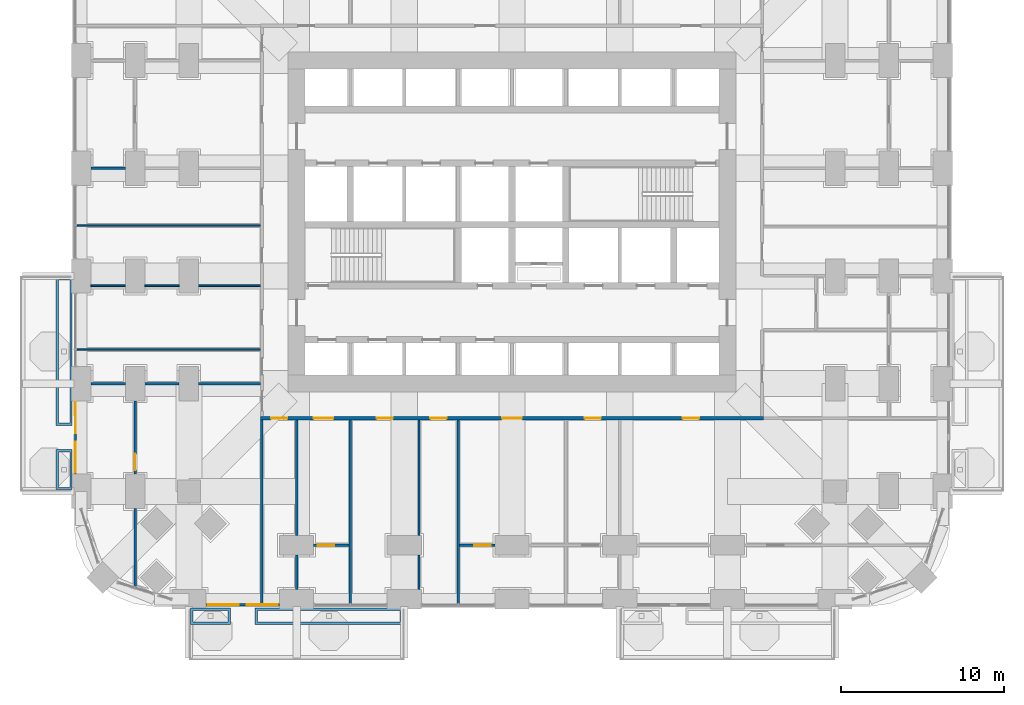
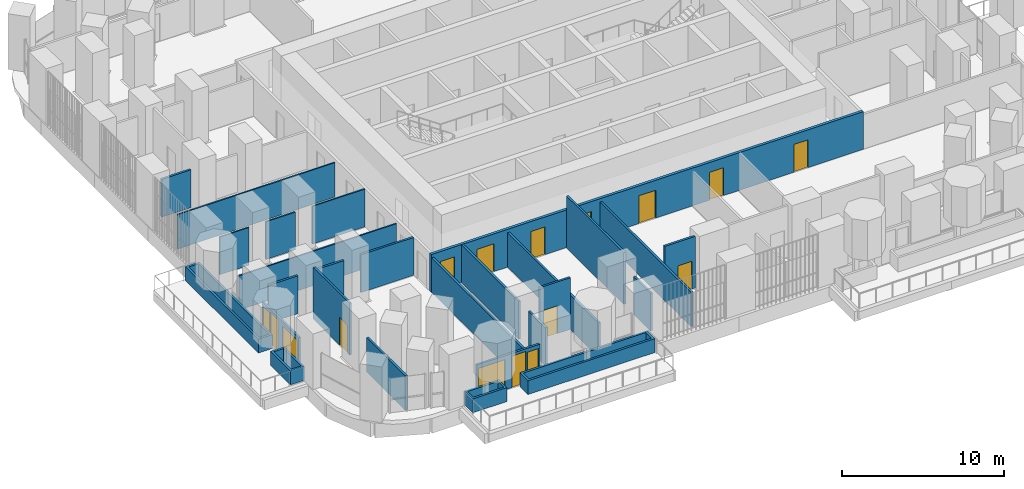
# One storey, part 18 of 27: 27 walls, 12 doors, 4 windows, 16 openings.
"""IFC4 building model written with IfcOpenShell, lengths in metres."""

import ifcopenshell
import ifcopenshell.guid

model = None  # the IFC model being written
_history = None  # IfcOwnerHistory: only IFC2X3 demands one
_inside = {}  # id of a spatial element -> (the spatial element, [elements in it])
_under = {}  # id of a project, library or spatial element -> (it, [spatial elements below it])
_declared = {}  # id of a project -> (the project, [libraries it declares])
_typed = {}  # id of a type object -> (the type object, [elements of that type])
_made_of = {}  # id of a material, layer set ... -> (it, [elements and type objects made of it])


def new_model(schema):
    """Start an empty IFC model of exactly this schema.

    Asked for "IFC4X3", IfcOpenShell would pick the latest addendum, in which some entities
    have other attributes; the version numbers below select the first issue.
    IFC2X3 requires an IfcOwnerHistory on every rooted entity: one is made here for all.
    """
    global model, _history
    if schema == "IFC4X3":
        model = ifcopenshell.file(schema_version=(4, 3, 0, 0))
    else:
        model = ifcopenshell.file(schema=schema)
    _inside.clear()
    _under.clear()
    _declared.clear()
    _typed.clear()
    _made_of.clear()
    _history = None
    if model.schema == "IFC2X3":
        org = make("IfcOrganization", Name="unknown")
        user = make(
            "IfcPersonAndOrganization",
            ThePerson=make("IfcPerson", FamilyName="unknown"),
            TheOrganization=org,
        )
        app = make(
            "IfcApplication",
            ApplicationDeveloper=org,
            Version="unknown",
            ApplicationFullName="unknown",
            ApplicationIdentifier="unknown",
        )
        _history = make(
            "IfcOwnerHistory",
            OwningUser=user,
            OwningApplication=app,
            ChangeAction="ADDED",
            CreationDate=0,
        )
    return model


def make(cls, **values):
    """One entity of the class cls with the attributes given. An attribute that is None is left unset."""
    return model.create_entity(
        cls, **{name: value for name, value in values.items() if value is not None}
    )


def rooted(cls, **values):
    """An entity with a GlobalId (a new one), such as an element, a storey or a relation."""
    return make(cls, GlobalId=ifcopenshell.guid.new(), OwnerHistory=_history, **values)


def si_unit(unit_type, name, prefix=None):
    """IfcSIUnit, for example si_unit("LENGTHUNIT", "METRE", prefix="MILLI")."""
    return make("IfcSIUnit", UnitType=unit_type, Prefix=prefix, Name=name)


def assignment(units):
    """IfcUnitAssignment: the units of a project."""
    return None if units is None else make("IfcUnitAssignment", Units=units)


def point(xyz):
    """IfcCartesianPoint."""
    return None if xyz is None else make("IfcCartesianPoint", Coordinates=xyz)


def direction(xyz):
    """IfcDirection."""
    return None if xyz is None else make("IfcDirection", DirectionRatios=xyz)


def frame(location, z_axis=None, x_axis=None):
    """IfcAxis2Placement3D, a coordinate frame: its origin and axes. An axis left out is left unset."""
    return make(
        "IfcAxis2Placement3D",
        Location=point(location),
        Axis=direction(z_axis),
        RefDirection=direction(x_axis),
    )


def frame_2d(location, x_axis=None):
    """IfcAxis2Placement2D, a coordinate frame in the plane: its origin and x axis."""
    return make(
        "IfcAxis2Placement2D", Location=point(location), RefDirection=direction(x_axis)
    )


def origin():
    """The frame at (0, 0, 0) with its axes left unset."""
    return frame((0.0, 0.0, 0.0))


def place(relative_to, where):
    """IfcLocalPlacement: puts the frame where relative to a parent placement (None: the world)."""
    return make(
        "IfcLocalPlacement", PlacementRelTo=relative_to, RelativePlacement=where
    )


def context(
    kind, dimensions, precision=None, world=None, true_north=None, identifier=None
):
    """IfcGeometricRepresentationContext, for example the 3D "Model" context."""
    return make(
        "IfcGeometricRepresentationContext",
        ContextIdentifier=identifier,
        ContextType=kind,
        CoordinateSpaceDimension=dimensions,
        Precision=precision,
        WorldCoordinateSystem=world,
        TrueNorth=true_north,
    )


def subcontext(parent, identifier, kind, view, scale=None):
    """IfcGeometricRepresentationSubContext, for example "Body" below "Model"."""
    return make(
        "IfcGeometricRepresentationSubContext",
        ContextIdentifier=identifier,
        ContextType=kind,
        ParentContext=parent,
        TargetScale=scale,
        TargetView=view,
    )


def project(units=None, contexts=None):
    """IfcProject with its units and contexts."""
    return rooted(
        "IfcProject",
        Name="project",
        RepresentationContexts=contexts,
        UnitsInContext=assignment(units),
    )


def spatial(cls, under=None, at=None, **own):
    """A site, building, storey or space (cls), placed at a placement, below another one or the project."""
    s = rooted(cls, ObjectPlacement=at, **own)
    if under is not None:
        _under.setdefault(under.id(), (under, []))[1].append(s)
    return s


def polyline(points):
    """IfcPolyline through the points."""
    return make("IfcPolyline", Points=[point(p) for p in points])


def profile(cls, at=None, kind="AREA", **sizes):
    """A parametric profile (cls). Its sizes go by their IFC names, for example OverallWidth=200.0."""
    return make(cls, ProfileType=kind, Position=at, **sizes)


def rectangle(**sizes):
    """IfcRectangleProfileDef."""
    return profile("IfcRectangleProfileDef", **sizes)


def outline(outer, holes=None, kind="AREA"):
    """IfcArbitraryClosedProfileDef: a profile drawn as a closed curve; with holes, ...WithVoids."""
    if holes is None:
        return make("IfcArbitraryClosedProfileDef", ProfileType=kind, OuterCurve=outer)
    return make(
        "IfcArbitraryProfileDefWithVoids",
        ProfileType=kind,
        OuterCurve=outer,
        InnerCurves=holes,
    )


def extrude(swept, where, along, depth):
    """IfcExtrudedAreaSolid: the profile swept, set in the frame where, extruded along a direction by depth."""
    return make(
        "IfcExtrudedAreaSolid",
        SweptArea=swept,
        Position=where,
        ExtrudedDirection=direction(along),
        Depth=depth,
    )


def shape(context_of_items, identifier, shape_type, items):
    """IfcShapeRepresentation: the items that make up one representation, for example the "Body"."""
    return make(
        "IfcShapeRepresentation",
        ContextOfItems=context_of_items,
        RepresentationIdentifier=identifier,
        RepresentationType=shape_type,
        Items=items,
    )


def material(Name=None, Category=None):
    """IfcMaterial."""
    return make("IfcMaterial", Name=Name, Category=Category)


def layer(
    of_material, thickness, ventilated=None, Name=None, Category=None, Priority=None
):
    """IfcMaterialLayer: one layer of a wall or slab, of a material (None: an air gap)."""
    return make(
        "IfcMaterialLayer",
        Material=of_material,
        LayerThickness=thickness,
        IsVentilated=ventilated,
        Name=Name,
        Category=Category,
        Priority=Priority,
    )


def layer_set(layers, Name=None):
    """IfcMaterialLayerSet."""
    return make("IfcMaterialLayerSet", MaterialLayers=layers, LayerSetName=Name)


def made_of(thing, what):
    """Note that an element or type object is made of a material, layer set ...; save() writes the relation."""
    if what is not None:
        _made_of.setdefault(what.id(), (what, []))[1].append(thing)
    return thing


def type_object(cls, material=None, **own):
    """A type object (cls), such as IfcWallType, which elements share."""
    return made_of(rooted(cls, **own), material)


def element(
    cls,
    number,
    at=None,
    inside=None,
    cuts=None,
    type_object=None,
    material=None,
    context=None,
    identifier="Body",
    shape_type=None,
    held_by="IfcProductDefinitionShape",
    body=None,
    shapes=None,
    **own,
):
    """One element of the class cls, such as IfcWall. Its Tag is "e" and its number.

    at: its placement. inside: the storey or other place that contains it. cuts: it is an
    opening in that element (IfcRelVoidsElement). A single representation is given by context,
    identifier, shape_type and body (its items); several are given by shapes. held_by: the class
    of the entity that holds the representations. save() writes the other relations.
    """
    e = rooted(cls, Tag="e%d" % number, ObjectPlacement=at, **own)
    if body is not None:
        shapes = [shape(context, identifier, shape_type, body)]
    if shapes is not None:
        e.Representation = make(held_by, Representations=shapes)
    if inside is not None:
        _inside.setdefault(inside.id(), (inside, []))[1].append(e)
    if cuts is not None:
        rooted(
            "IfcRelVoidsElement", RelatingBuildingElement=cuts, RelatedOpeningElement=e
        )
    if type_object is not None:
        _typed.setdefault(type_object.id(), (type_object, []))[1].append(e)
    return made_of(e, material)


def fill(opening, filler):
    """IfcRelFillsElement: the door or window that sits in an opening."""
    return rooted(
        "IfcRelFillsElement",
        RelatingOpeningElement=opening,
        RelatedBuildingElement=filler,
    )


def aggregate(whole, parts):
    """IfcRelAggregates: a whole, such as a stair, and the parts it consists of."""
    return rooted("IfcRelAggregates", RelatingObject=whole, RelatedObjects=parts)


def save(model, path):
    """Write the relations noted so far, then the file.

    IfcRelAggregates (storeys below a building ...), IfcRelContainedInSpatialStructure (elements
    in a storey), IfcRelDefinesByType, IfcRelAssociatesMaterial and IfcRelDeclares: one each for
    every whole, place, type object, material and project.
    """
    for whole, parts in _under.values():
        aggregate(whole, parts)
    for where, things in _inside.values():
        rooted(
            "IfcRelContainedInSpatialStructure",
            RelatedElements=things,
            RelatingStructure=where,
        )
    for kind, things in _typed.values():
        rooted("IfcRelDefinesByType", RelatedObjects=things, RelatingType=kind)
    for what, things in _made_of.values():
        rooted("IfcRelAssociatesMaterial", RelatedObjects=things, RelatingMaterial=what)
    for by, libraries in _declared.values():
        rooted("IfcRelDeclares", RelatingContext=by, RelatedDefinitions=libraries)
    model.write(path)


model = new_model("IFC4")

# Units and contexts
model_context = context("Model", 3, precision=1e-05, world=origin(), true_north=direction((0.0, 1.0)))
body_context = subcontext(model_context, "Body", "Model", "MODEL_VIEW")
ifc_project = project(units=[si_unit("LENGTHUNIT", "METRE"), si_unit("AREAUNIT", "SQUARE_METRE"), si_unit("VOLUMEUNIT", "CUBIC_METRE"), si_unit("PLANEANGLEUNIT", "RADIAN"), si_unit("MASSUNIT", "GRAM", prefix="KILO")], contexts=[model_context])

# Site, building, storey
site_placement = place(None, origin())
site = spatial("IfcSite", under=ifc_project, at=site_placement, CompositionType="ELEMENT")
building_placement = place(site_placement, origin())
building = spatial("IfcBuilding", under=site, at=building_placement, Name="Cobogo Forest Laboratory Tower", CompositionType="ELEMENT")
storey_placement = place(building_placement, frame((0.0, 0.0, 63.300048828125)))
storey = spatial("IfcBuildingStorey", under=building, at=storey_placement, Name="L14", CompositionType="ELEMENT", Elevation=63.300048828125)

# Wall, openings, door, windows
ifc_material_1 = material(Name="Aluminium framed glazed screen", Category="aluminium")
ifc_layer_1 = layer(ifc_material_1, 0.14990234375)
ifc_layer_set_1 = layer_set([ifc_layer_1], Name="GS1 glazed door screen 150")
wall_type_1 = type_object("IfcWallType", Name="GS1 glazed door screen 150", PredefinedType="SOLIDWALL", material=ifc_layer_set_1)
wall_1_placement = place(storey_placement, frame((7.64990234375, -0.35009765625, 0.0), z_axis=(0.0, 0.0, 1.0), x_axis=(1.0, 0.0, 0.0)))
wall_1 = element("IfcWall", 1, at=wall_1_placement, inside=storey, type_object=wall_type_1, Name="Door screen BAL-S1 L14", PredefinedType="SOLIDWALL", context=body_context, shape_type="SweptSolid", body=[
    extrude(rectangle(XDim=4.5, YDim=0.14990234375, at=frame_2d((2.25, 0.0))), origin(), (0.0, 0.0, 1.0), 2.599853515625),
])
opening_1_placement = place(wall_1_placement, frame((2.5, 0.0, 0.0)))
opening_1 = element("IfcOpeningElement", 2, at=opening_1_placement, cuts=wall_1, Name="Opening L14-D01", PredefinedType="OPENING", context=body_context, shape_type="SweptSolid", body=[
    extrude(rectangle(XDim=1.0, YDim=2.39990234375, at=frame_2d((0.5, 1.199951171875))), frame((0.0, 0.0849609375, 0.0), z_axis=(0.0, -1.0, 0.0), x_axis=(1.0, 0.0, 0.0)), (0.0, 0.0, 1.0), 0.169921875),
])
opening_2_placement = place(wall_1_placement, frame((0.10009765625, 0.0, 0.10009765625)))
opening_2 = element("IfcOpeningElement", 3, at=opening_2_placement, cuts=wall_1, Name="Opening L14-W01", PredefinedType="OPENING", context=body_context, shape_type="SweptSolid", body=[
    extrude(rectangle(XDim=1.89990234375, YDim=2.199951171875, at=frame_2d((0.949951171875, 1.10009765625))), frame((0.0, 0.0849609375, 0.0), z_axis=(0.0, -1.0, 0.0), x_axis=(1.0, 0.0, 0.0)), (0.0, 0.0, 1.0), 0.169921875),
])
opening_3_placement = place(wall_1_placement, frame((3.60009765625, 0.0, 0.10009765625)))
opening_3 = element("IfcOpeningElement", 4, at=opening_3_placement, cuts=wall_1, Name="Opening L14-W02", PredefinedType="OPENING", context=body_context, shape_type="SweptSolid", body=[
    extrude(rectangle(XDim=0.800048828125, YDim=2.199951171875, at=frame_2d((0.39990234375, 1.10009765625))), frame((0.0, 0.0849609375, 0.0), z_axis=(0.0, -1.0, 0.0), x_axis=(1.0, 0.0, 0.0)), (0.0, 0.0, 1.0), 0.169921875),
])
ifc_material_2 = material(Name="Aluminium glazed door", Category="aluminium")
door_type_1 = type_object("IfcDoorType", Name="DB1 balcony door 1000 glazed", OperationType="SINGLE_SWING_LEFT", PredefinedType="DOOR", material=ifc_material_2)
door_1_placement = place(opening_1_placement, origin())
door_1 = element("IfcDoor", 5, at=door_1_placement, inside=storey, type_object=door_type_1, Name="Door L14-BAL-S1", OperationType="SINGLE_SWING_RIGHT", OverallHeight=2.39990234375, OverallWidth=1.0, PredefinedType="DOOR", context=body_context, shape_type="SweptSolid", body=[
    extrude(rectangle(XDim=1.0, YDim=2.39990234375, at=frame_2d((0.5, 1.199951171875))), frame((0.0, 0.02490234375, 0.0), z_axis=(0.0, -1.0, 0.0), x_axis=(1.0, 0.0, 0.0)), (0.0, 0.0, 1.0), 0.050048828125),
])
fill(opening_1, door_1)
ifc_material_3 = material(Name="Aluminium framed glazing", Category="aluminium")
window_type_1 = type_object("IfcWindowType", Name="WG5 fixed glazed light 1900x2200", PartitioningType="SINGLE_PANEL", PredefinedType="WINDOW", material=ifc_material_3)
window_1_placement = place(opening_2_placement, origin())
window_1 = element("IfcWindow", 6, at=window_1_placement, inside=storey, type_object=window_type_1, Name="Window L14-BAL-S1-1", OverallHeight=2.199951171875, OverallWidth=1.89990234375, PartitioningType="SINGLE_PANEL", PredefinedType="WINDOW", context=body_context, shape_type="SweptSolid", body=[
    extrude(rectangle(XDim=1.89990234375, YDim=2.199951171875, at=frame_2d((0.949951171875, 1.10009765625))), frame((0.0, 0.030029296875, 0.0), z_axis=(0.0, -1.0, 0.0), x_axis=(1.0, 0.0, 0.0)), (0.0, 0.0, 1.0), 0.06005859375),
])
fill(opening_2, window_1)
window_type_2 = type_object("IfcWindowType", Name="WG6 fixed glazed light 800x2200", PartitioningType="SINGLE_PANEL", PredefinedType="WINDOW", material=ifc_material_3)
window_2_placement = place(opening_3_placement, origin())
window_2 = element("IfcWindow", 7, at=window_2_placement, inside=storey, type_object=window_type_2, Name="Window L14-BAL-S1-2", OverallHeight=2.199951171875, OverallWidth=0.800048828125, PartitioningType="SINGLE_PANEL", PredefinedType="WINDOW", context=body_context, shape_type="SweptSolid", body=[
    extrude(rectangle(XDim=0.800048828125, YDim=2.199951171875, at=frame_2d((0.39990234375, 1.10009765625))), frame((0.0, 0.030029296875, 0.0), z_axis=(0.0, -1.0, 0.0), x_axis=(1.0, 0.0, 0.0)), (0.0, 0.0, 1.0), 0.06005859375),
])
fill(opening_3, window_2)

wall_2_placement = place(storey_placement, frame((-0.35009765625, 12.14990234375, 0.0), z_axis=(0.0, 0.0, 1.0), x_axis=(0.0, -1.0, 0.0)))
wall_2 = element("IfcWall", 8, at=wall_2_placement, inside=storey, type_object=wall_type_1, Name="Door screen BAL-W1 L14", PredefinedType="SOLIDWALL", context=body_context, shape_type="SweptSolid", body=[
    extrude(rectangle(XDim=4.5, YDim=0.14990234375, at=frame_2d((2.25, 0.0))), origin(), (0.0, 0.0, 1.0), 2.599853515625),
])
opening_4_placement = place(wall_2_placement, frame((1.0, 0.0, 0.0)))
opening_4 = element("IfcOpeningElement", 9, at=opening_4_placement, cuts=wall_2, Name="Opening L14-D08", PredefinedType="OPENING", context=body_context, shape_type="SweptSolid", body=[
    extrude(rectangle(XDim=1.0, YDim=2.39990234375, at=frame_2d((0.5, 1.199951171875))), frame((0.0, 0.0849609375, 0.0), z_axis=(0.0, -1.0, 0.0), x_axis=(1.0, 0.0, 0.0)), (0.0, 0.0, 1.0), 0.169921875),
])
opening_5_placement = place(wall_2_placement, frame((0.10009765625, 0.0, 0.10009765625)))
opening_5 = element("IfcOpeningElement", 10, at=opening_5_placement, cuts=wall_2, Name="Opening L14-W07", PredefinedType="OPENING", context=body_context, shape_type="SweptSolid", body=[
    extrude(rectangle(XDim=0.800048828125, YDim=2.199951171875, at=frame_2d((0.39990234375, 1.10009765625))), frame((0.0, 0.0849609375, 0.0), z_axis=(0.0, -1.0, 0.0), x_axis=(1.0, 0.0, 0.0)), (0.0, 0.0, 1.0), 0.169921875),
])
opening_6_placement = place(wall_2_placement, frame((2.5, 0.0, 0.10009765625)))
opening_6 = element("IfcOpeningElement", 11, at=opening_6_placement, cuts=wall_2, Name="Opening L14-W05", PredefinedType="OPENING", context=body_context, shape_type="SweptSolid", body=[
    extrude(rectangle(XDim=1.89990234375, YDim=2.199951171875, at=frame_2d((0.949951171875, 1.10009765625))), frame((0.0, 0.0849609375, 0.0), z_axis=(0.0, -1.0, 0.0), x_axis=(1.0, 0.0, 0.0)), (0.0, 0.0, 1.0), 0.169921875),
])
door_2_placement = place(opening_4_placement, origin())
door_2 = element("IfcDoor", 12, at=door_2_placement, inside=storey, type_object=door_type_1, Name="Door L14-BAL-W1", OperationType="SINGLE_SWING_LEFT", OverallHeight=2.39990234375, OverallWidth=1.0, PredefinedType="DOOR", context=body_context, shape_type="SweptSolid", body=[
    extrude(rectangle(XDim=1.0, YDim=2.39990234375, at=frame_2d((0.5, 1.199951171875))), frame((0.0, 0.02490234375, 0.0), z_axis=(0.0, -1.0, 0.0), x_axis=(1.0, 0.0, 0.0)), (0.0, 0.0, 1.0), 0.050048828125),
])
fill(opening_4, door_2)
window_3_placement = place(opening_6_placement, origin())
window_3 = element("IfcWindow", 13, at=window_3_placement, inside=storey, type_object=window_type_1, Name="Window L14-BAL-W1-2", OverallHeight=2.199951171875, OverallWidth=1.89990234375, PartitioningType="SINGLE_PANEL", PredefinedType="WINDOW", context=body_context, shape_type="SweptSolid", body=[
    extrude(rectangle(XDim=1.89990234375, YDim=2.199951171875, at=frame_2d((0.949951171875, 1.10009765625))), frame((0.0, 0.030029296875, 0.0), z_axis=(0.0, -1.0, 0.0), x_axis=(1.0, 0.0, 0.0)), (0.0, 0.0, 1.0), 0.06005859375),
])
fill(opening_6, window_3)
window_4_placement = place(opening_5_placement, origin())
window_4 = element("IfcWindow", 14, at=window_4_placement, inside=storey, type_object=window_type_2, Name="Window L14-BAL-W1-1", OverallHeight=2.199951171875, OverallWidth=0.800048828125, PartitioningType="SINGLE_PANEL", PredefinedType="WINDOW", context=body_context, shape_type="SweptSolid", body=[
    extrude(rectangle(XDim=0.800048828125, YDim=2.199951171875, at=frame_2d((0.39990234375, 1.10009765625))), frame((0.0, 0.030029296875, 0.0), z_axis=(0.0, -1.0, 0.0), x_axis=(1.0, 0.0, 0.0)), (0.0, 0.0, 1.0), 0.06005859375),
])
fill(opening_5, window_4)

# Wall
ifc_material_4 = material(Name="Gypsum board on steel studs", Category="steel")
ifc_layer_2 = layer(ifc_material_4, 0.14990234375)
ifc_layer_set_2 = layer_set([ifc_layer_2], Name="PT1 laboratory partition 150")
wall_type_2 = type_object("IfcWallType", Name="PT1 laboratory partition 150", PredefinedType="PARTITIONING", material=ifc_layer_set_2)
wall_3_placement = place(storey_placement, frame((11.074951171875, -0.27001953125, 0.0), z_axis=(0.0, 0.0, 1.0), x_axis=(0.0, 1.0, 0.0)))
element("IfcWall", 15, at=wall_3_placement, inside=storey, type_object=wall_type_2, Name="Partition PW-SW L14", PredefinedType="PARTITIONING", context=body_context, shape_type="SweptSolid", body=[
    extrude(rectangle(XDim=11.2451171875, YDim=0.14990234375, at=frame_2d((5.62255859375, 0.0))), origin(), (0.0, 0.0, 1.0), 2.599853515625),
])

# Wall, opening, door
wall_4_placement = place(storey_placement, frame((14.25, 3.300048828125, 0.0), z_axis=(0.0, 0.0, 1.0), x_axis=(1.0, 0.0, 0.0)))
wall_4 = element("IfcWall", 16, at=wall_4_placement, inside=storey, type_object=wall_type_2, Name="Partition STRIP-S-1 L14", PredefinedType="PARTITIONING", context=body_context, shape_type="SweptSolid", body=[
    extrude(rectangle(XDim=2.175048828125, YDim=0.14990234375, at=frame_2d((1.08740234375, 0.0))), origin(), (0.0, 0.0, 1.0), 3.89990234375),
])
opening_7_placement = place(wall_4_placement, frame((0.25, 0.0, 0.0)))
opening_7 = element("IfcOpeningElement", 17, at=opening_7_placement, cuts=wall_4, Name="Opening L14-D03", PredefinedType="OPENING", context=body_context, shape_type="SweptSolid", body=[
    extrude(rectangle(XDim=1.0, YDim=2.10009765625, at=frame_2d((0.5, 1.050048828125))), frame((0.0, 0.0849609375, 0.0), z_axis=(0.0, -1.0, 0.0), x_axis=(1.0, 0.0, 0.0)), (0.0, 0.0, 1.0), 0.169921875),
])
ifc_material_5 = material(Name="Timber fire door", Category="wood")
door_type_2 = type_object("IfcDoorType", Name="FD2 fire door 1000 EI2 30", OperationType="SINGLE_SWING_LEFT", PredefinedType="DOOR", material=ifc_material_5)
door_3_placement = place(opening_7_placement, origin())
door_3 = element("IfcDoor", 18, at=door_3_placement, inside=storey, type_object=door_type_2, Name="Door L14-S2W", OperationType="SINGLE_SWING_LEFT", OverallHeight=2.10009765625, OverallWidth=1.0, PredefinedType="DOOR", context=body_context, shape_type="SweptSolid", body=[
    extrude(rectangle(XDim=1.0, YDim=2.10009765625, at=frame_2d((0.5, 1.050048828125))), frame((0.0, 0.02490234375, 0.0), z_axis=(0.0, -1.0, 0.0), x_axis=(1.0, 0.0, 0.0)), (0.0, 0.0, 1.0), 0.050048828125),
])
fill(opening_7, door_3)

wall_5_placement = place(storey_placement, frame((23.175048828125, 3.300048828125, 0.0), z_axis=(0.0, 0.0, 1.0), x_axis=(1.0, 0.0, 0.0)))
wall_5 = element("IfcWall", 19, at=wall_5_placement, inside=storey, type_object=wall_type_2, Name="Partition STRIP-S-2 L14", PredefinedType="PARTITIONING", context=body_context, shape_type="SweptSolid", body=[
    extrude(rectangle(XDim=2.175048828125, YDim=0.14990234375, at=frame_2d((1.08740234375, 0.0))), origin(), (0.0, 0.0, 1.0), 3.89990234375),
])
opening_8_placement = place(wall_5_placement, frame((0.925048828125, 0.0, 0.0)))
opening_8 = element("IfcOpeningElement", 20, at=opening_8_placement, cuts=wall_5, Name="Opening L14-D04", PredefinedType="OPENING", context=body_context, shape_type="SweptSolid", body=[
    extrude(rectangle(XDim=1.0, YDim=2.10009765625, at=frame_2d((0.5, 1.050048828125))), frame((0.0, 0.0849609375, 0.0), z_axis=(0.0, -1.0, 0.0), x_axis=(1.0, 0.0, 0.0)), (0.0, 0.0, 1.0), 0.169921875),
])
door_4_placement = place(opening_8_placement, origin())
door_4 = element("IfcDoor", 21, at=door_4_placement, inside=storey, type_object=door_type_2, Name="Door L14-S3W", OperationType="SINGLE_SWING_RIGHT", OverallHeight=2.10009765625, OverallWidth=1.0, PredefinedType="DOOR", context=body_context, shape_type="SweptSolid", body=[
    extrude(rectangle(XDim=1.0, YDim=2.10009765625, at=frame_2d((0.5, 1.050048828125))), frame((0.0, 0.02490234375, 0.0), z_axis=(0.0, -1.0, 0.0), x_axis=(1.0, 0.0, 0.0)), (0.0, 0.0, 1.0), 0.050048828125),
])
fill(opening_8, door_4)

# Walls
wall_6_placement = place(storey_placement, frame((20.699951171875, 0.60009765625, 0.0), z_axis=(0.0, 0.0, 1.0), x_axis=(0.0, 1.0, 0.0)))
element("IfcWall", 22, at=wall_6_placement, inside=storey, type_object=wall_type_2, Name="Partition SVC-S1-1 L14", PredefinedType="PARTITIONING", context=body_context, shape_type="SweptSolid", body=[
    extrude(rectangle(XDim=2.099853515625, YDim=0.14990234375, at=frame_2d((1.0498046875, 0.0))), origin(), (0.0, 0.0, 1.0), 2.849853515625),
])
wall_7_placement = place(storey_placement, frame((20.699951171875, 3.89990234375, 0.0), z_axis=(0.0, 0.0, 1.0), x_axis=(0.0, 1.0, 0.0)))
element("IfcWall", 23, at=wall_7_placement, inside=storey, type_object=wall_type_2, Name="Partition SVC-S1-2 L14", PredefinedType="PARTITIONING", context=body_context, shape_type="SweptSolid", body=[
    extrude(rectangle(XDim=7.0751953125, YDim=0.14990234375, at=frame_2d((3.53759765625, 0.0))), origin(), (0.0, 0.0, 1.0), 3.89990234375),
])
wall_8_placement = place(storey_placement, frame((23.10009765625, -0.27001953125, 0.0), z_axis=(0.0, 0.0, 1.0), x_axis=(0.0, 1.0, 0.0)))
element("IfcWall", 24, at=wall_8_placement, inside=storey, type_object=wall_type_2, Name="Partition SVC-S2-1 L14", PredefinedType="PARTITIONING", context=body_context, shape_type="SweptSolid", body=[
    extrude(rectangle(XDim=11.2451171875, YDim=0.14990234375, at=frame_2d((5.62255859375, 0.0))), origin(), (0.0, 0.0, 1.0), 2.599853515625),
])
wall_9_placement = place(storey_placement, frame((13.199951171875, 0.60009765625, 0.0), z_axis=(0.0, 0.0, 1.0), x_axis=(0.0, 1.0, 0.0)))
element("IfcWall", 25, at=wall_9_placement, inside=storey, type_object=wall_type_2, Name="Partition CUT-S13.2-1 L14", PredefinedType="PARTITIONING", context=body_context, shape_type="SweptSolid", body=[
    extrude(rectangle(XDim=2.099853515625, YDim=0.14990234375, at=frame_2d((1.0498046875, 0.0))), origin(), (0.0, 0.0, 1.0), 2.849853515625),
])
wall_10_placement = place(storey_placement, frame((13.199951171875, 3.89990234375, 0.0), z_axis=(0.0, 0.0, 1.0), x_axis=(0.0, 1.0, 0.0)))
element("IfcWall", 26, at=wall_10_placement, inside=storey, type_object=wall_type_2, Name="Partition CUT-S13.2-2 L14", PredefinedType="PARTITIONING", context=body_context, shape_type="SweptSolid", body=[
    extrude(rectangle(XDim=7.0751953125, YDim=0.14990234375, at=frame_2d((3.53759765625, 0.0))), origin(), (0.0, 0.0, 1.0), 2.849853515625),
])
wall_11_placement = place(storey_placement, frame((16.5, -0.27001953125, 0.0), z_axis=(0.0, 0.0, 1.0), x_axis=(0.0, 1.0, 0.0)))
element("IfcWall", 27, at=wall_11_placement, inside=storey, type_object=wall_type_2, Name="Partition CUT-S16.5-1 L14", PredefinedType="PARTITIONING", context=body_context, shape_type="SweptSolid", body=[
    extrude(rectangle(XDim=11.2451171875, YDim=0.14990234375, at=frame_2d((5.62255859375, 0.0))), origin(), (0.0, 0.0, 1.0), 2.599853515625),
])

# Wall, opening, door
wall_12_placement = place(storey_placement, frame((3.300048828125, 12.14990234375, 0.0), z_axis=(0.0, 0.0, 1.0), x_axis=(0.0, -1.0, 0.0)))
wall_12 = element("IfcWall", 28, at=wall_12_placement, inside=storey, type_object=wall_type_2, Name="Partition STRIP-W-2 L14", PredefinedType="PARTITIONING", context=body_context, shape_type="SweptSolid", body=[
    extrude(rectangle(XDim=4.5, YDim=0.14990234375, at=frame_2d((2.25, 0.0))), origin(), (0.0, 0.0, 1.0), 3.89990234375),
])
opening_9_placement = place(wall_12_placement, frame((3.25, 0.0, 0.0)))
opening_9 = element("IfcOpeningElement", 29, at=opening_9_placement, cuts=wall_12, Name="Opening L14-D07", PredefinedType="OPENING", context=body_context, shape_type="SweptSolid", body=[
    extrude(rectangle(XDim=1.0, YDim=2.10009765625, at=frame_2d((0.5, 1.050048828125))), frame((0.0, 0.0849609375, 0.0), z_axis=(0.0, -1.0, 0.0), x_axis=(1.0, 0.0, 0.0)), (0.0, 0.0, 1.0), 0.169921875),
])
door_5_placement = place(opening_9_placement, origin())
door_5 = element("IfcDoor", 30, at=door_5_placement, inside=storey, type_object=door_type_2, Name="Door L14-W1W", OperationType="SINGLE_SWING_RIGHT", OverallHeight=2.10009765625, OverallWidth=1.0, PredefinedType="DOOR", context=body_context, shape_type="SweptSolid", body=[
    extrude(rectangle(XDim=1.0, YDim=2.10009765625, at=frame_2d((0.5, 1.050048828125))), frame((0.0, 0.02490234375, 0.0), z_axis=(0.0, -1.0, 0.0), x_axis=(1.0, 0.0, 0.0)), (0.0, 0.0, 1.0), 0.050048828125),
])
fill(opening_9, door_5)

# Walls
wall_13_placement = place(storey_placement, frame((3.300048828125, 5.550048828125, 0.0), z_axis=(0.0, 0.0, 1.0), x_axis=(0.0, -1.0, 0.0)))
element("IfcWall", 31, at=wall_13_placement, inside=storey, type_object=wall_type_2, Name="Partition STRIP-W-3 L14", PredefinedType="PARTITIONING", context=body_context, shape_type="SweptSolid", body=[
    extrude(rectangle(XDim=4.77392578125, YDim=0.14990234375, at=frame_2d((2.386962890625, 0.0))), origin(), (0.0, 0.0, 1.0), 2.599853515625),
])
wall_14_placement = place(storey_placement, frame((0.60009765625, 13.199951171875, 0.0), z_axis=(0.0, 0.0, 1.0), x_axis=(1.0, 0.0, 0.0)))
element("IfcWall", 32, at=wall_14_placement, inside=storey, type_object=wall_type_2, Name="Partition CUT-W13.2-1 L14", PredefinedType="PARTITIONING", context=body_context, shape_type="SweptSolid", body=[
    extrude(rectangle(XDim=2.099853515625, YDim=0.14990234375, at=frame_2d((1.0498046875, 0.0))), origin(), (0.0, 0.0, 1.0), 2.849853515625),
])
wall_15_placement = place(storey_placement, frame((3.89990234375, 13.199951171875, 0.0), z_axis=(0.0, 0.0, 1.0), x_axis=(1.0, 0.0, 0.0)))
element("IfcWall", 33, at=wall_15_placement, inside=storey, type_object=wall_type_2, Name="Partition CUT-W13.2-2 L14", PredefinedType="PARTITIONING", context=body_context, shape_type="SweptSolid", body=[
    extrude(rectangle(XDim=2.10009765625, YDim=0.14990234375, at=frame_2d((1.050048828125, 0.0))), origin(), (0.0, 0.0, 1.0), 2.849853515625),
])
wall_16_placement = place(storey_placement, frame((7.199951171875, 13.199951171875, 0.0), z_axis=(0.0, 0.0, 1.0), x_axis=(1.0, 0.0, 0.0)))
element("IfcWall", 34, at=wall_16_placement, inside=storey, type_object=wall_type_2, Name="Partition CUT-W13.2-3 L14", PredefinedType="PARTITIONING", context=body_context, shape_type="SweptSolid", body=[
    extrude(rectangle(XDim=3.775146484375, YDim=0.14990234375, at=frame_2d((1.8876953125, 0.0))), origin(), (0.0, 0.0, 1.0), 2.849853515625),
])
wall_17_placement = place(storey_placement, frame((0.60009765625, 26.39990234375, 0.0), z_axis=(0.0, 0.0, 1.0), x_axis=(1.0, 0.0, 0.0)))
element("IfcWall", 35, at=wall_17_placement, inside=storey, type_object=wall_type_2, Name="Partition CUT-W26.4-1 L14", PredefinedType="PARTITIONING", context=body_context, shape_type="SweptSolid", body=[
    extrude(rectangle(XDim=2.099853515625, YDim=0.14990234375, at=frame_2d((1.0498046875, 0.0))), origin(), (0.0, 0.0, 1.0), 2.849853515625),
])

# Wall, openings, doors
ifc_layer_3 = layer(ifc_material_4, 0.199951171875)
ifc_layer_set_3 = layer_set([ifc_layer_3], Name="PT2 fire-rated corridor partition 200")
wall_type_3 = type_object("IfcWallType", Name="PT2 fire-rated corridor partition 200", PredefinedType="PARTITIONING", material=ifc_layer_set_3)
wall_18_placement = place(storey_placement, frame((10.97509765625, 11.074951171875, 0.0), z_axis=(0.0, 0.0, 1.0), x_axis=(1.0, 0.0, 0.0)))
wall_18 = element("IfcWall", 36, at=wall_18_placement, inside=storey, type_object=wall_type_3, Name="Partition CORR-S L14", PredefinedType="PARTITIONING", context=body_context, shape_type="SweptSolid", body=[
    extrude(rectangle(XDim=30.849853515625, YDim=0.199951171875, at=frame_2d((15.4248046875, 0.0))), origin(), (0.0, 0.0, 1.0), 2.849853515625),
])
opening_10_placement = place(wall_18_placement, frame((0.66259765625, 0.0, 0.0)))
opening_10 = element("IfcOpeningElement", 37, at=opening_10_placement, cuts=wall_18, Name="Opening L14-D10", PredefinedType="OPENING", context=body_context, shape_type="SweptSolid", body=[
    extrude(rectangle(XDim=1.0, YDim=2.10009765625, at=frame_2d((0.5, 1.050048828125))), frame((0.0, 0.10986328125, 0.0), z_axis=(0.0, -1.0, 0.0), x_axis=(1.0, 0.0, 0.0)), (0.0, 0.0, 1.0), 0.219970703125),
])
opening_11_placement = place(wall_18_placement, frame((3.27490234375, 0.0, 0.0)))
opening_11 = element("IfcOpeningElement", 38, at=opening_11_placement, cuts=wall_18, Name="Opening L14-D11", PredefinedType="OPENING", context=body_context, shape_type="SweptSolid", body=[
    extrude(rectangle(XDim=1.199951171875, YDim=2.10009765625, at=frame_2d((0.60009765625, 1.050048828125))), frame((0.0, 0.10986328125, 0.0), z_axis=(0.0, -1.0, 0.0), x_axis=(1.0, 0.0, 0.0)), (0.0, 0.0, 1.0), 0.219970703125),
])
opening_12_placement = place(wall_18_placement, frame((7.125, 0.0, 0.0)))
opening_12 = element("IfcOpeningElement", 39, at=opening_12_placement, cuts=wall_18, Name="Opening L14-D12", PredefinedType="OPENING", context=body_context, shape_type="SweptSolid", body=[
    extrude(rectangle(XDim=1.0, YDim=2.10009765625, at=frame_2d((0.5, 1.050048828125))), frame((0.0, 0.10986328125, 0.0), z_axis=(0.0, -1.0, 0.0), x_axis=(1.0, 0.0, 0.0)), (0.0, 0.0, 1.0), 0.219970703125),
])
opening_13_placement = place(wall_18_placement, frame((10.425048828125, 0.0, 0.0)))
opening_13 = element("IfcOpeningElement", 40, at=opening_13_placement, cuts=wall_18, Name="Opening L14-D13", PredefinedType="OPENING", context=body_context, shape_type="SweptSolid", body=[
    extrude(rectangle(XDim=1.0, YDim=2.10009765625, at=frame_2d((0.5, 1.050048828125))), frame((0.0, 0.10986328125, 0.0), z_axis=(0.0, -1.0, 0.0), x_axis=(1.0, 0.0, 0.0)), (0.0, 0.0, 1.0), 0.219970703125),
])
opening_14_placement = place(wall_18_placement, frame((14.824951171875, 0.0, 0.0)))
opening_14 = element("IfcOpeningElement", 41, at=opening_14_placement, cuts=wall_18, Name="Opening L14-D14", PredefinedType="OPENING", context=body_context, shape_type="SweptSolid", body=[
    extrude(rectangle(XDim=1.199951171875, YDim=2.10009765625, at=frame_2d((0.60009765625, 1.050048828125))), frame((0.0, 0.10986328125, 0.0), z_axis=(0.0, -1.0, 0.0), x_axis=(1.0, 0.0, 0.0)), (0.0, 0.0, 1.0), 0.219970703125),
])
opening_15_placement = place(wall_18_placement, frame((19.875, 0.0, 0.0)))
opening_15 = element("IfcOpeningElement", 42, at=opening_15_placement, cuts=wall_18, Name="Opening L14-D15", PredefinedType="OPENING", context=body_context, shape_type="SweptSolid", body=[
    extrude(rectangle(XDim=1.0, YDim=2.10009765625, at=frame_2d((0.5, 1.050048828125))), frame((0.0, 0.10986328125, 0.0), z_axis=(0.0, -1.0, 0.0), x_axis=(1.0, 0.0, 0.0)), (0.0, 0.0, 1.0), 0.219970703125),
])
opening_16_placement = place(wall_18_placement, frame((25.887451171875, 0.0, 0.0)))
opening_16 = element("IfcOpeningElement", 43, at=opening_16_placement, cuts=wall_18, Name="Opening L14-D16", PredefinedType="OPENING", context=body_context, shape_type="SweptSolid", body=[
    extrude(rectangle(XDim=1.0, YDim=2.10009765625, at=frame_2d((0.5, 1.050048828125))), frame((0.0, 0.10986328125, 0.0), z_axis=(0.0, -1.0, 0.0), x_axis=(1.0, 0.0, 0.0)), (0.0, 0.0, 1.0), 0.219970703125),
])
ifc_material_6 = material(Name="Timber door", Category="wood")
door_type_3 = type_object("IfcDoorType", Name="D2 laboratory door 1200 unequal pair", OperationType="DOUBLE_DOOR_SINGLE_SWING", PredefinedType="DOOR", material=ifc_material_6)
door_6_placement = place(opening_11_placement, origin())
door_6 = element("IfcDoor", 44, at=door_6_placement, inside=storey, type_object=door_type_3, Name="Door L14-S2", OperationType="DOUBLE_DOOR_SINGLE_SWING", OverallHeight=2.10009765625, OverallWidth=1.199951171875, PredefinedType="DOOR", context=body_context, shape_type="SweptSolid", body=[
    extrude(rectangle(XDim=1.199951171875, YDim=2.10009765625, at=frame_2d((0.60009765625, 1.050048828125))), frame((0.0, 0.02490234375, 0.0), z_axis=(0.0, -1.0, 0.0), x_axis=(1.0, 0.0, 0.0)), (0.0, 0.0, 1.0), 0.050048828125),
])
fill(opening_11, door_6)
door_7_placement = place(opening_14_placement, origin())
door_7 = element("IfcDoor", 45, at=door_7_placement, inside=storey, type_object=door_type_3, Name="Door L14-S3", OperationType="DOUBLE_DOOR_SINGLE_SWING", OverallHeight=2.10009765625, OverallWidth=1.199951171875, PredefinedType="DOOR", context=body_context, shape_type="SweptSolid", body=[
    extrude(rectangle(XDim=1.199951171875, YDim=2.10009765625, at=frame_2d((0.60009765625, 1.050048828125))), frame((0.0, 0.02490234375, 0.0), z_axis=(0.0, -1.0, 0.0), x_axis=(1.0, 0.0, 0.0)), (0.0, 0.0, 1.0), 0.050048828125),
])
fill(opening_14, door_7)
door_8_placement = place(opening_10_placement, origin())
door_8 = element("IfcDoor", 46, at=door_8_placement, inside=storey, type_object=door_type_2, Name="Door L14-S1", OperationType="SINGLE_SWING_LEFT", OverallHeight=2.10009765625, OverallWidth=1.0, PredefinedType="DOOR", context=body_context, shape_type="SweptSolid", body=[
    extrude(rectangle(XDim=1.0, YDim=2.10009765625, at=frame_2d((0.5, 1.050048828125))), frame((0.0, 0.02490234375, 0.0), z_axis=(0.0, -1.0, 0.0), x_axis=(1.0, 0.0, 0.0)), (0.0, 0.0, 1.0), 0.050048828125),
])
fill(opening_10, door_8)
door_9_placement = place(opening_12_placement, origin())
door_9 = element("IfcDoor", 47, at=door_9_placement, inside=storey, type_object=door_type_2, Name="Door L14-MTG", OperationType="SINGLE_SWING_LEFT", OverallHeight=2.10009765625, OverallWidth=1.0, PredefinedType="DOOR", context=body_context, shape_type="SweptSolid", body=[
    extrude(rectangle(XDim=1.0, YDim=2.10009765625, at=frame_2d((0.5, 1.050048828125))), frame((0.0, 0.02490234375, 0.0), z_axis=(0.0, -1.0, 0.0), x_axis=(1.0, 0.0, 0.0)), (0.0, 0.0, 1.0), 0.050048828125),
])
fill(opening_12, door_9)
door_10_placement = place(opening_13_placement, origin())
door_10 = element("IfcDoor", 48, at=door_10_placement, inside=storey, type_object=door_type_2, Name="Door L14-PAN", OperationType="SINGLE_SWING_LEFT", OverallHeight=2.10009765625, OverallWidth=1.0, PredefinedType="DOOR", context=body_context, shape_type="SweptSolid", body=[
    extrude(rectangle(XDim=1.0, YDim=2.10009765625, at=frame_2d((0.5, 1.050048828125))), frame((0.0, 0.02490234375, 0.0), z_axis=(0.0, -1.0, 0.0), x_axis=(1.0, 0.0, 0.0)), (0.0, 0.0, 1.0), 0.050048828125),
])
fill(opening_13, door_10)
door_11_placement = place(opening_15_placement, origin())
door_11 = element("IfcDoor", 49, at=door_11_placement, inside=storey, type_object=door_type_2, Name="Door L14-S4", OperationType="SINGLE_SWING_RIGHT", OverallHeight=2.10009765625, OverallWidth=1.0, PredefinedType="DOOR", context=body_context, shape_type="SweptSolid", body=[
    extrude(rectangle(XDim=1.0, YDim=2.10009765625, at=frame_2d((0.5, 1.050048828125))), frame((0.0, 0.02490234375, 0.0), z_axis=(0.0, -1.0, 0.0), x_axis=(1.0, 0.0, 0.0)), (0.0, 0.0, 1.0), 0.050048828125),
])
fill(opening_15, door_11)
door_12_placement = place(opening_16_placement, origin())
door_12 = element("IfcDoor", 50, at=door_12_placement, inside=storey, type_object=door_type_2, Name="Door L14-S5", OperationType="SINGLE_SWING_RIGHT", OverallHeight=2.10009765625, OverallWidth=1.0, PredefinedType="DOOR", context=body_context, shape_type="SweptSolid", body=[
    extrude(rectangle(XDim=1.0, YDim=2.10009765625, at=frame_2d((0.5, 1.050048828125))), frame((0.0, 0.02490234375, 0.0), z_axis=(0.0, -1.0, 0.0), x_axis=(1.0, 0.0, 0.0)), (0.0, 0.0, 1.0), 0.050048828125),
])
fill(opening_16, door_12)

# Walls
ifc_layer_4 = layer(ifc_material_4, 0.10009765625)
ifc_layer_set_4 = layer_set([ifc_layer_4], Name="PT3 toilet partition 100")
wall_type_4 = type_object("IfcWallType", Name="PT3 toilet partition 100", PredefinedType="PARTITIONING", material=ifc_layer_set_4)
wall_19_placement = place(storey_placement, frame((-0.27001953125, 15.300048828125, 0.0), z_axis=(0.0, 0.0, 1.0), x_axis=(1.0, 0.0, 0.0)))
element("IfcWall", 51, at=wall_19_placement, inside=storey, type_object=wall_type_4, Name="Partition SVC-W1-1 L14", PredefinedType="PARTITIONING", context=body_context, shape_type="SweptSolid", body=[
    extrude(rectangle(XDim=11.2451171875, YDim=0.10009765625, at=frame_2d((5.62255859375, 0.0))), origin(), (0.0, 0.0, 1.0), 2.599853515625),
])
wall_20_placement = place(storey_placement, frame((0.60009765625, 19.199951171875, 0.0), z_axis=(0.0, 0.0, 1.0), x_axis=(1.0, 0.0, 0.0)))
element("IfcWall", 52, at=wall_20_placement, inside=storey, type_object=wall_type_4, Name="Partition SVC-W2-1 L14", PredefinedType="PARTITIONING", context=body_context, shape_type="SweptSolid", body=[
    extrude(rectangle(XDim=2.099853515625, YDim=0.10009765625, at=frame_2d((1.0498046875, 0.0))), origin(), (0.0, 0.0, 1.0), 2.849853515625),
])
wall_21_placement = place(storey_placement, frame((3.89990234375, 19.199951171875, 0.0), z_axis=(0.0, 0.0, 1.0), x_axis=(1.0, 0.0, 0.0)))
element("IfcWall", 53, at=wall_21_placement, inside=storey, type_object=wall_type_4, Name="Partition SVC-W2-2 L14", PredefinedType="PARTITIONING", context=body_context, shape_type="SweptSolid", body=[
    extrude(rectangle(XDim=2.10009765625, YDim=0.10009765625, at=frame_2d((1.050048828125, 0.0))), origin(), (0.0, 0.0, 1.0), 2.849853515625),
])
wall_22_placement = place(storey_placement, frame((7.199951171875, 19.199951171875, 0.0), z_axis=(0.0, 0.0, 1.0), x_axis=(1.0, 0.0, 0.0)))
element("IfcWall", 54, at=wall_22_placement, inside=storey, type_object=wall_type_4, Name="Partition SVC-W2-3 L14", PredefinedType="PARTITIONING", context=body_context, shape_type="SweptSolid", body=[
    extrude(rectangle(XDim=3.775146484375, YDim=0.10009765625, at=frame_2d((1.8876953125, 0.0))), origin(), (0.0, 0.0, 1.0), 2.849853515625),
])
wall_23_placement = place(storey_placement, frame((-0.27001953125, 22.89990234375, 0.0), z_axis=(0.0, 0.0, 1.0), x_axis=(1.0, 0.0, 0.0)))
element("IfcWall", 55, at=wall_23_placement, inside=storey, type_object=wall_type_4, Name="Partition SVC-W3-1 L14", PredefinedType="PARTITIONING", context=body_context, shape_type="SweptSolid", body=[
    extrude(rectangle(XDim=11.2451171875, YDim=0.10009765625, at=frame_2d((5.62255859375, 0.0))), origin(), (0.0, 0.0, 1.0), 2.599853515625),
])
ifc_material_7 = material(Name="Concrete HA-40 (C40/50)", Category="concrete")
ifc_layer_5 = layer(ifc_material_7, 0.14990234375)
ifc_layer_set_5 = layer_set([ifc_layer_5], Name="Planter box 1000x1050")
wall_type_5 = type_object("IfcWallType", Name="Planter box 1000x1050", PredefinedType="USERDEFINED", material=ifc_layer_set_5)
wall_24_placement = place(storey_placement, origin())
element("IfcWall", 56, at=wall_24_placement, inside=storey, type_object=wall_type_5, Name="Planter BAL-S1-1 L14", ObjectType="PLANTER", PredefinedType="USERDEFINED", context=body_context, shape_type="SweptSolid", body=[
    extrude(outline(polyline([(6.699951171875, -1.550048828125), (9.14990234375, -1.550048828125), (9.14990234375, -0.550048828125), (6.699951171875, -0.550048828125), (6.699951171875, -1.550048828125)]), holes=[polyline([(6.85009765625, -1.39990234375), (9.0, -1.39990234375), (9.0, -0.699951171875), (6.85009765625, -0.699951171875), (6.85009765625, -1.39990234375)])]), origin(), (0.0, 0.0, 1.0), 1.050048828125),
])
wall_25_placement = place(storey_placement, origin())
element("IfcWall", 57, at=wall_25_placement, inside=storey, type_object=wall_type_5, Name="Planter BAL-S1-2 L14", ObjectType="PLANTER", PredefinedType="USERDEFINED", context=body_context, shape_type="SweptSolid", body=[
    extrude(outline(polyline([(10.64990234375, -1.550048828125), (19.699951171875, -1.550048828125), (19.699951171875, -0.550048828125), (10.64990234375, -0.550048828125), (10.64990234375, -1.550048828125)]), holes=[polyline([(10.800048828125, -1.39990234375), (19.550048828125, -1.39990234375), (19.550048828125, -0.699951171875), (10.800048828125, -0.699951171875), (10.800048828125, -1.39990234375)])]), origin(), (0.0, 0.0, 1.0), 1.050048828125),
])
wall_26_placement = place(storey_placement, origin())
element("IfcWall", 58, at=wall_26_placement, inside=storey, type_object=wall_type_5, Name="Planter BAL-W1-1 L14", ObjectType="PLANTER", PredefinedType="USERDEFINED", context=body_context, shape_type="SweptSolid", body=[
    extrude(outline(polyline([(-1.550048828125, 6.699951171875), (-0.550048828125, 6.699951171875), (-0.550048828125, 9.14990234375), (-1.550048828125, 9.14990234375), (-1.550048828125, 6.699951171875)]), holes=[polyline([(-1.39990234375, 6.85009765625), (-0.699951171875, 6.85009765625), (-0.699951171875, 9.0), (-1.39990234375, 9.0), (-1.39990234375, 6.85009765625)])]), origin(), (0.0, 0.0, 1.0), 1.050048828125),
])
wall_27_placement = place(storey_placement, origin())
element("IfcWall", 59, at=wall_27_placement, inside=storey, type_object=wall_type_5, Name="Planter BAL-W1-2 L14", ObjectType="PLANTER", PredefinedType="USERDEFINED", context=body_context, shape_type="SweptSolid", body=[
    extrude(outline(polyline([(-1.550048828125, 10.64990234375), (-0.550048828125, 10.64990234375), (-0.550048828125, 19.699951171875), (-1.550048828125, 19.699951171875), (-1.550048828125, 10.64990234375)]), holes=[polyline([(-1.39990234375, 10.800048828125), (-0.699951171875, 10.800048828125), (-0.699951171875, 19.550048828125), (-1.39990234375, 19.550048828125), (-1.39990234375, 10.800048828125)])]), origin(), (0.0, 0.0, 1.0), 1.050048828125),
])

save(model, "model.ifc")
